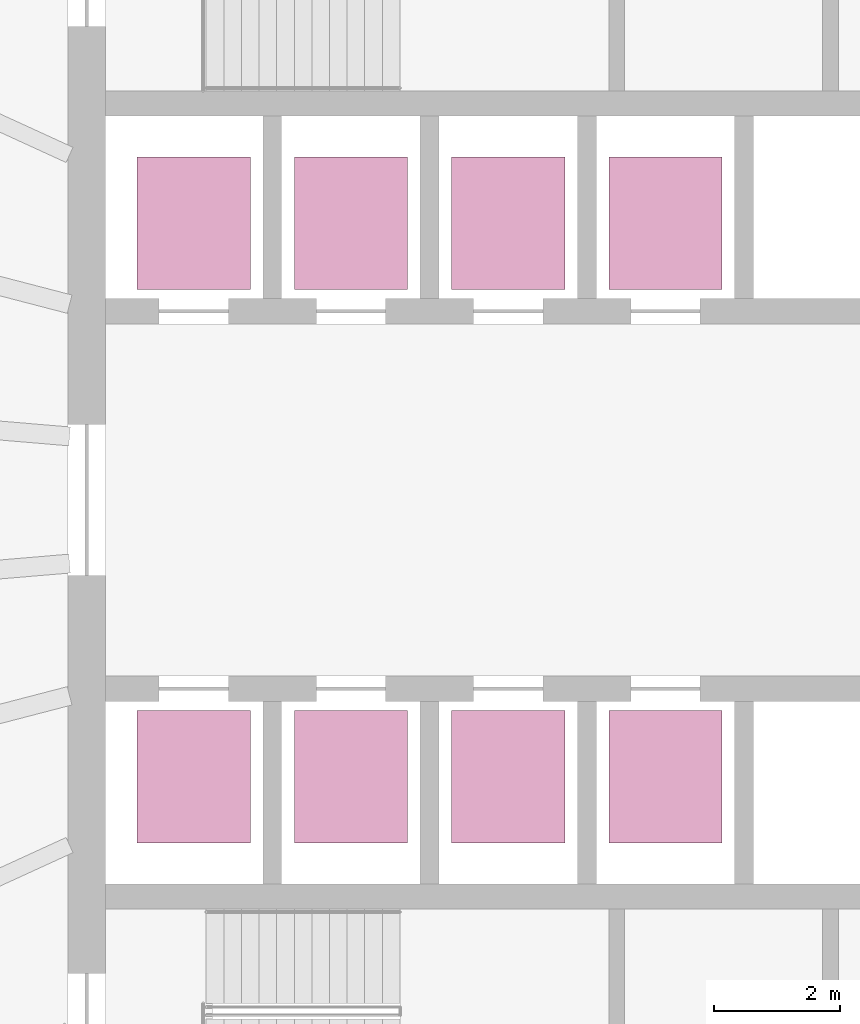
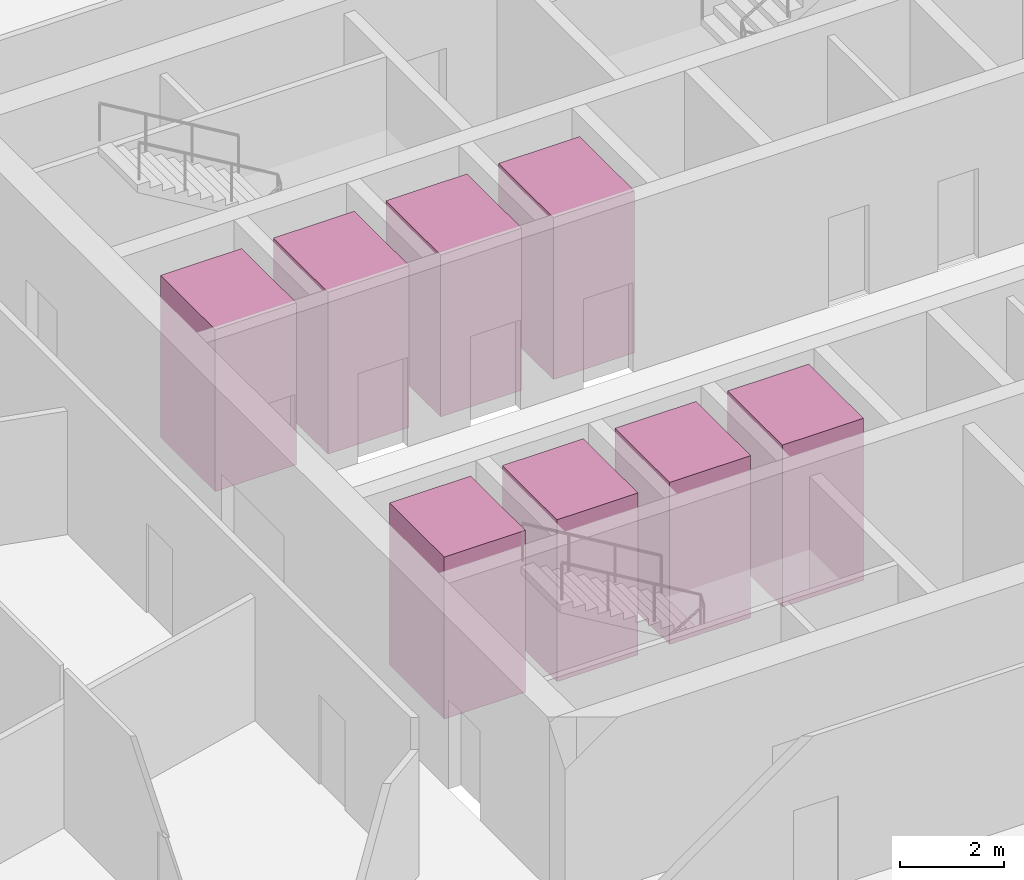
# One storey, part 10 of 10: 8 transport elements.
"""IFC4 building model written with IfcOpenShell, lengths in metres."""

from ifc_helpers import new_model, si_unit, direction, frame, origin, origin_2d, place, context, subcontext, project, spatial, rectangle, extrude, material, type_object, element, save


model = new_model("IFC4")

# Units and contexts
model_context = context("Model", 3, precision=1e-05, world=origin(), true_north=direction((0.0, 1.0)))
body_context = subcontext(model_context, "Body", "Model", "MODEL_VIEW")
ifc_project = project(units=[si_unit("LENGTHUNIT", "METRE"), si_unit("AREAUNIT", "SQUARE_METRE"), si_unit("VOLUMEUNIT", "CUBIC_METRE"), si_unit("PLANEANGLEUNIT", "RADIAN"), si_unit("MASSUNIT", "GRAM", prefix="KILO")], contexts=[model_context])

# Site, building, storey
site_placement = place(None, origin())
site = spatial("IfcSite", under=ifc_project, at=site_placement, CompositionType="ELEMENT")
building_placement = place(site_placement, origin())
building = spatial("IfcBuilding", under=site, at=building_placement, Name="Halqa Exchange Tower", CompositionType="ELEMENT")
storey_placement = place(building_placement, frame((0.0, 0.0, 198.89990234375)))
storey = spatial("IfcBuildingStorey", under=building, at=storey_placement, Name="L45", CompositionType="ELEMENT", Elevation=198.89990234375)

# Transport elements
ifc_material = material(Name="Stainless steel", Category="steel")
transport_element_type_1 = type_object("IfcTransportElementType", Name="High-rise passenger lift 1800 x 2100", PredefinedType="ELEVATOR", material=ifc_material)
for number, where, z_axis, x_axis, name in (
    (1, (-10.0, 4.39990234375, 0.0), (0.0, 0.0, 1.0), (1.0, 0.0, 0.0), "High-rise passenger lift HR1"),
    (2, (-7.5, 4.39990234375, 0.0), (0.0, 0.0, 1.0), (1.0, 0.0, 0.0), "High-rise passenger lift HR2"),
    (3, (-10.0, -4.39990234375, 0.0), (0.0, 0.0, 1.0), (1.0, 0.0, 0.0), "High-rise passenger lift HR3"),
    (4, (-7.5, -4.39990234375, 0.0), (0.0, 0.0, 1.0), (1.0, 0.0, 0.0), "High-rise passenger lift HR4"),
):
    element("IfcTransportElement", number, at=place(storey_placement, frame(where, z_axis=z_axis, x_axis=x_axis)), inside=storey, type_object=transport_element_type_1, Name=name, PredefinedType="ELEVATOR", context=body_context, shape_type="SweptSolid", body=[
        extrude(rectangle(XDim=1.800048828125, YDim=2.10009765625, at=origin_2d()), origin(), (0.0, 0.0, 1.0), 3.800048828125),
    ])
transport_element_type_2 = type_object("IfcTransportElementType", Name="Mid-rise passenger lift 1800 x 2100", PredefinedType="ELEVATOR", material=ifc_material)
for number, where, z_axis, x_axis, name in (
    (5, (-5.0, 4.39990234375, 0.0), (0.0, 0.0, 1.0), (1.0, 0.0, 0.0), "Mid-rise passenger lift MR1"),
    (6, (-2.5, 4.39990234375, 0.0), (0.0, 0.0, 1.0), (1.0, 0.0, 0.0), "Mid-rise passenger lift MR2"),
    (7, (-5.0, -4.39990234375, 0.0), (0.0, 0.0, 1.0), (1.0, 0.0, 0.0), "Mid-rise passenger lift MR3"),
    (8, (-2.5, -4.39990234375, 0.0), (0.0, 0.0, 1.0), (1.0, 0.0, 0.0), "Mid-rise passenger lift MR4"),
):
    element("IfcTransportElement", number, at=place(storey_placement, frame(where, z_axis=z_axis, x_axis=x_axis)), inside=storey, type_object=transport_element_type_2, Name=name, PredefinedType="ELEVATOR", context=body_context, shape_type="SweptSolid", body=[
        extrude(rectangle(XDim=1.800048828125, YDim=2.10009765625, at=origin_2d()), origin(), (0.0, 0.0, 1.0), 3.800048828125),
    ])

save(model, "model.ifc")
